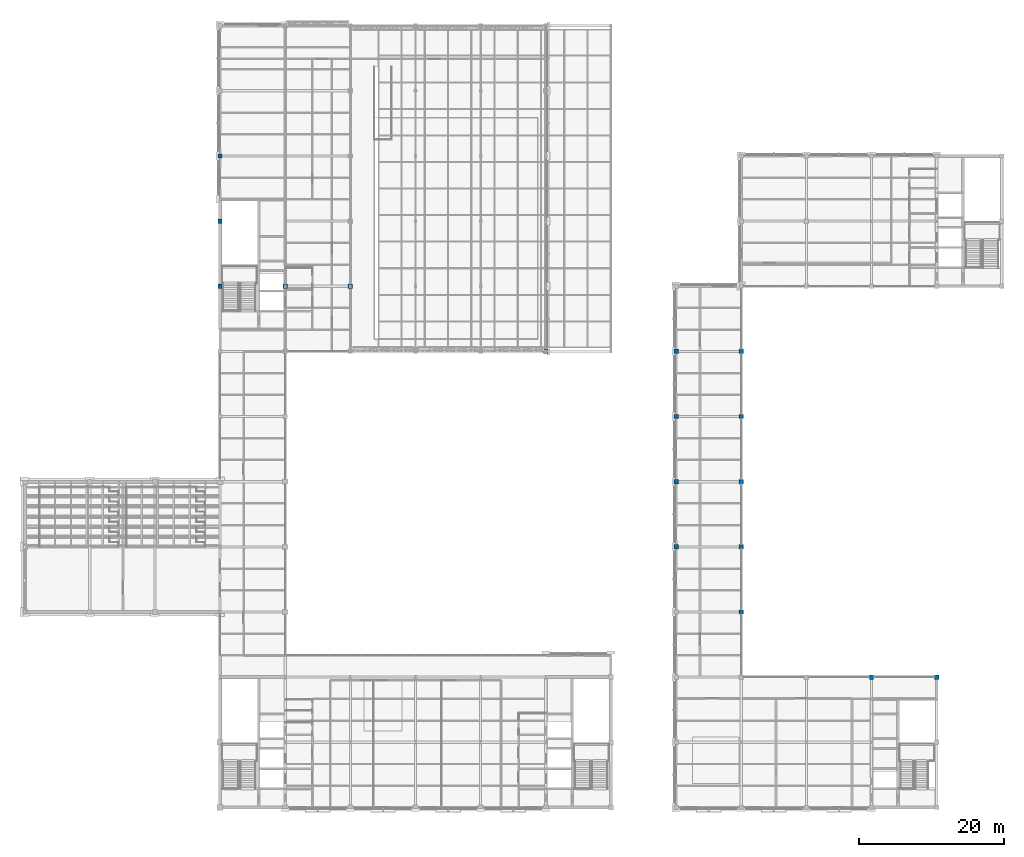
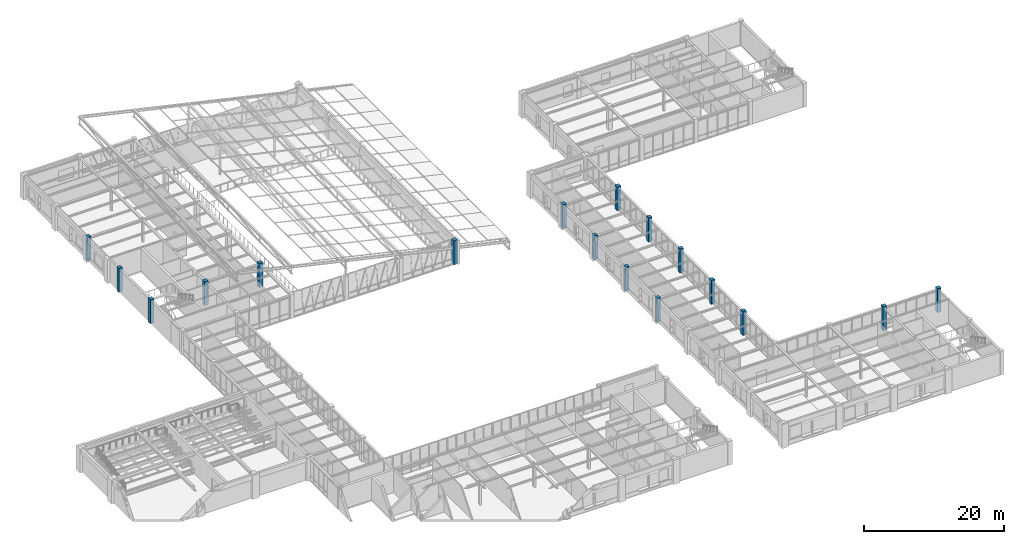
# One storey, part 7 of 130: 17 columns.
"""IFC4 building model written with IfcOpenShell, lengths in metres."""

from ifc_helpers import new_model, si_unit, direction, frame, origin, origin_2d, place, context, subcontext, project, spatial, rectangle, extrude, material, material_profile, profile_set, type_object, element, save


model = new_model("IFC4")

# Units and contexts
model_context = context("Model", 3, precision=1e-05, world=origin(), true_north=direction((0.0, 1.0)))
body_context = subcontext(model_context, "Body", "Model", "MODEL_VIEW")
ifc_project = project(units=[si_unit("LENGTHUNIT", "METRE"), si_unit("AREAUNIT", "SQUARE_METRE"), si_unit("VOLUMEUNIT", "CUBIC_METRE"), si_unit("PLANEANGLEUNIT", "RADIAN"), si_unit("MASSUNIT", "GRAM", prefix="KILO")], contexts=[model_context])

# Site, building, storey
site_placement = place(None, origin())
site = spatial("IfcSite", under=ifc_project, at=site_placement, CompositionType="ELEMENT")
building_placement = place(site_placement, origin())
building = spatial("IfcBuilding", under=site, at=building_placement, Name="Lykobir Media Centre", CompositionType="ELEMENT")
storey_placement = place(building_placement, frame((0.0, 0.0, 19.199951171875)))
storey = spatial("IfcBuildingStorey", under=building, at=storey_placement, Name="L04", CompositionType="ELEMENT", Elevation=19.199951171875)

# Columns
ifc_material = material(Name="Concrete C40/50", Category="concrete")
ifc_material_profile_1 = material_profile(ifc_material, rectangle(XDim=0.60009765625, YDim=0.60009765625, at=origin_2d()), Name="RC 600x600")
ifc_profile_set_1 = profile_set([ifc_material_profile_1], Name="Concrete C40/50")
column_type_1 = type_object("IfcColumnType", Name="RC-C600", PredefinedType="COLUMN", material=ifc_profile_set_1)
for number, where, z_axis, x_axis, name in (
    (1, (27.0, 72.0, 0.0), (0.0, 0.0, 1.0), (1.0, 0.0, 0.0), "Column COL-L04-0270-0720"),
    (2, (27.0, 81.0, 0.0), (0.0, 0.0, 1.0), (1.0, 0.0, 0.0), "Column COL-L04-0270-0810"),
    (3, (27.0, 90.0, 0.0), (0.0, 0.0, 1.0), (1.0, 0.0, 0.0), "Column COL-L04-0270-0900"),
    (4, (36.0, 72.0, 0.0), (0.0, 0.0, 1.0), (1.0, 0.0, 0.0), "Column COL-L04-0360-0720"),
    (5, (45.0, 72.0, 0.0), (0.0, 0.0, 1.0), (1.0, 0.0, 0.0), "Column COL-L04-0450-0720"),
    (6, (72.0, 63.0, 0.0), (0.0, 0.0, 1.0), (1.0, 0.0, 0.0), "Column COL-L04-0720-0630"),
    (7, (99.0, 27.0, 0.0), (0.0, 0.0, 1.0), (1.0, 0.0, 0.0), "Column COL-L04-0990-0270"),
    (8, (99.0, 36.0, 0.0), (0.0, 0.0, 1.0), (1.0, 0.0, 0.0), "Column COL-L04-0990-0360"),
    (9, (99.0, 45.0, 0.0), (0.0, 0.0, 1.0), (1.0, 0.0, 0.0), "Column COL-L04-0990-0450"),
    (10, (99.0, 54.0, 0.0), (0.0, 0.0, 1.0), (1.0, 0.0, 0.0), "Column COL-L04-0990-0540"),
    (11, (99.0, 63.0, 0.0), (0.0, 0.0, 1.0), (1.0, 0.0, 0.0), "Column COL-L04-0990-0630"),
    (12, (117.0, 18.0, 0.0), (0.0, 0.0, 1.0), (1.0, 0.0, 0.0), "Column COL-L04-1170-0180"),
    (13, (126.0, 18.0, 0.0), (0.0, 0.0, 1.0), (1.0, 0.0, 0.0), "Column COL-L04-1260-0180"),
):
    element("IfcColumn", number, at=place(storey_placement, frame(where, z_axis=z_axis, x_axis=x_axis)), inside=storey, type_object=column_type_1, Name=name, PredefinedType="COLUMN", context=body_context, shape_type="SweptSolid", body=[
        extrude(rectangle(XDim=0.60009765625, YDim=0.60009765625, at=origin_2d()), origin(), (0.0, 0.0, 1.0), 4.199951171875),
    ])
ifc_material_profile_2 = material_profile(ifc_material, rectangle(XDim=0.60009765625, YDim=0.60009765625, at=origin_2d()), Name="RC 600x600")
ifc_profile_set_2 = profile_set([ifc_material_profile_2], Name="Concrete C40/50")
column_type_2 = type_object("IfcColumnType", Name="RC-C600-E", PredefinedType="COLUMN", material=ifc_profile_set_2)
for number, where, z_axis, x_axis, name in (
    (14, (90.0, 36.0, 0.0), (0.0, 0.0, 1.0), (1.0, 0.0, 0.0), "Column COL-L04-0900-0360"),
    (15, (90.0, 45.0, 0.0), (0.0, 0.0, 1.0), (1.0, 0.0, 0.0), "Column COL-L04-0900-0450"),
    (16, (90.0, 54.0, 0.0), (0.0, 0.0, 1.0), (1.0, 0.0, 0.0), "Column COL-L04-0900-0540"),
    (17, (90.0, 63.0, 0.0), (0.0, 0.0, 1.0), (1.0, 0.0, 0.0), "Column COL-L04-0900-0630"),
):
    element("IfcColumn", number, at=place(storey_placement, frame(where, z_axis=z_axis, x_axis=x_axis)), inside=storey, type_object=column_type_2, Name=name, PredefinedType="COLUMN", context=body_context, shape_type="SweptSolid", body=[
        extrude(rectangle(XDim=0.60009765625, YDim=0.60009765625, at=origin_2d()), origin(), (0.0, 0.0, 1.0), 4.199951171875),
    ])

save(model, "model.ifc")
